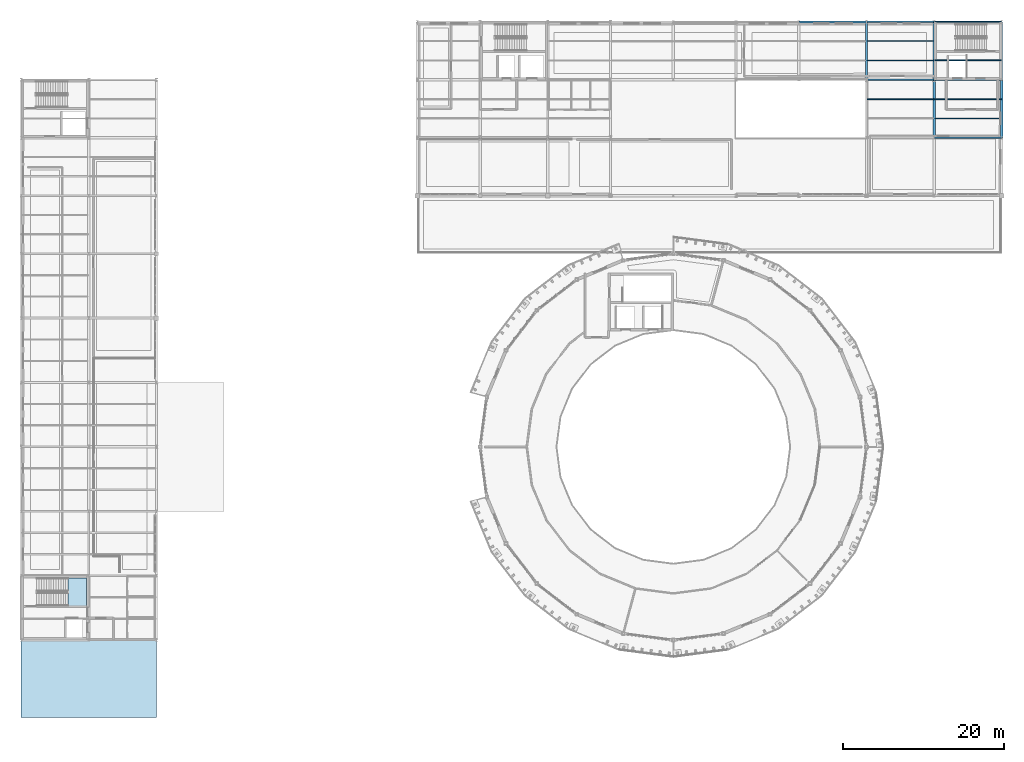
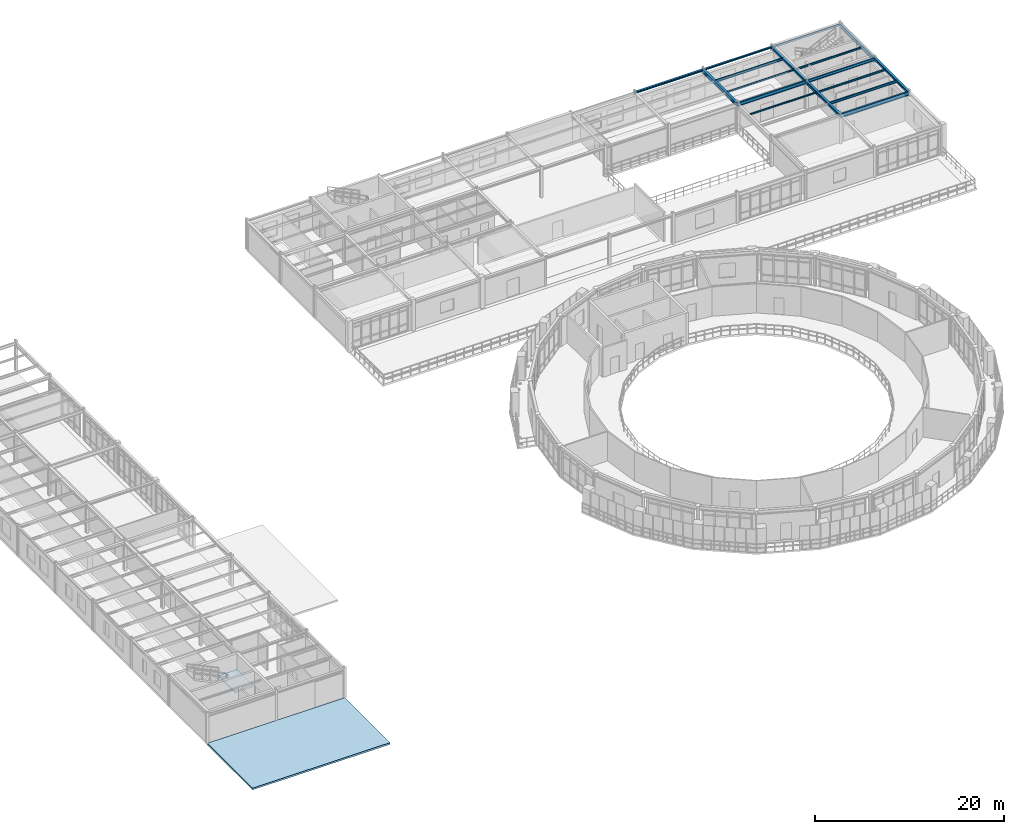
# One storey, part 32 of 58: 17 beams, 2 slabs, 1 element without a shape of its own.
"""IFC4 building model written with IfcOpenShell, lengths in metres."""

from ifc_helpers import new_model, si_unit, derived_unit, direction, frame, origin, origin_2d, place, context, subcontext, project, spatial, polyline, hollow_rectangle, i_section, outline, extrude, material, layer, layer_set, material_profile, profile_set, type_object, element, aggregate, save


model = new_model("IFC4")

# Units and contexts
model_context = context("Model", 3, precision=1e-05, world=origin(), true_north=direction((0.0, 1.0)))
body_context = subcontext(model_context, "Body", "Model", "MODEL_VIEW")
ifc_project = project(units=[si_unit("LENGTHUNIT", "METRE"), si_unit("AREAUNIT", "SQUARE_METRE"), si_unit("VOLUMEUNIT", "CUBIC_METRE"), si_unit("PLANEANGLEUNIT", "RADIAN"), si_unit("MASSUNIT", "GRAM", prefix="KILO"), derived_unit("THERMALTRANSMITTANCEUNIT", [(si_unit("POWERUNIT", "WATT"), 1), (si_unit("AREAUNIT", "SQUARE_METRE"), -1), (si_unit("THERMODYNAMICTEMPERATUREUNIT", "KELVIN"), -1)])], contexts=[model_context])

# Site, building, storey
site_placement = place(None, origin())
site = spatial("IfcSite", under=ifc_project, at=site_placement, CompositionType="ELEMENT")
building_placement = place(site_placement, origin())
building = spatial("IfcBuilding", under=site, at=building_placement, Name="Yasenodar Specialist Clinic", CompositionType="ELEMENT")
storey_placement = place(building_placement, frame((0.0, 0.0, 17.25)))
storey = spatial("IfcBuildingStorey", under=building, at=storey_placement, Name="L04", CompositionType="ELEMENT", Elevation=17.25)

# Beams
ifc_material_1 = material(Name="Steel S355", Category="steel")
ifc_material_profile_1 = material_profile(ifc_material_1, i_section(OverallWidth=0.300048828125, OverallDepth=0.2900390625, WebThickness=0.008544921875, FlangeThickness=0.013916015625, FilletRadius=0.027099609375, at=origin_2d()), Name="HEA 300")
ifc_profile_set_1 = profile_set([ifc_material_profile_1], Name="Steel S355")
beam_type_1 = type_object("IfcBeamType", Name="BM-HEA300", PredefinedType="BEAM", material=ifc_profile_set_1)
beam_1_placement = place(storey_placement, frame((121.800048828125, 97.199951171875, 3.64501953125), z_axis=(0.0, 1.0, 0.0), x_axis=(-1.0, 0.0, 0.0)))
element("IfcBeam", 1, at=beam_1_placement, inside=storey, type_object=beam_type_1, Name="L04 Primary N-S Girder", PredefinedType="BEAM", context=body_context, shape_type="SweptSolid", body=[
    extrude(i_section(OverallWidth=0.300048828125, OverallDepth=0.2900390625, WebThickness=0.008544921875, FlangeThickness=0.013916015625, FilletRadius=0.027099609375, at=origin_2d()), origin(), (0.0, 0.0, 1.0), 7.199951171875),
])
ifc_material_profile_2 = material_profile(ifc_material_1, i_section(OverallWidth=0.300048828125, OverallDepth=0.300048828125, WebThickness=0.010986328125, FlangeThickness=0.01904296875, FilletRadius=0.027099609375, at=origin_2d()), Name="HEB 300")
ifc_profile_set_2 = profile_set([ifc_material_profile_2], Name="Steel S355")
beam_type_2 = type_object("IfcBeamType", Name="BM-HEB300", PredefinedType="BEAM", material=ifc_profile_set_2)
beam_2_placement = place(storey_placement, frame((113.39990234375, 104.39990234375, 3.64990234375), z_axis=(0.0, 1.0, 0.0), x_axis=(-1.0, 0.0, 0.0)))
element("IfcBeam", 2, at=beam_2_placement, inside=storey, type_object=beam_type_2, Name="L04 Primary N-S Girder", PredefinedType="BEAM", context=body_context, shape_type="SweptSolid", body=[
    extrude(i_section(OverallWidth=0.300048828125, OverallDepth=0.300048828125, WebThickness=0.010986328125, FlangeThickness=0.01904296875, FilletRadius=0.027099609375, at=origin_2d()), origin(), (0.0, 0.0, 1.0), 7.2001953125),
])
ifc_material_profile_3 = material_profile(ifc_material_1, i_section(OverallWidth=0.300048828125, OverallDepth=0.340087890625, WebThickness=0.011962890625, FlangeThickness=0.021484375, FilletRadius=0.027099609375, at=origin_2d()), Name="HEB 340")
ifc_profile_set_3 = profile_set([ifc_material_profile_3], Name="Steel S355")
beam_type_3 = type_object("IfcBeamType", Name="BM-HEB340", PredefinedType="BEAM", material=ifc_profile_set_3)
beam_3_placement = place(storey_placement, frame((113.39990234375, 97.199951171875, 3.6201171875), z_axis=(0.0, 1.0, 0.0), x_axis=(-1.0, 0.0, 0.0)))
element("IfcBeam", 3, at=beam_3_placement, inside=storey, type_object=beam_type_3, Name="L04 Primary N-S Girder", PredefinedType="BEAM", context=body_context, shape_type="SweptSolid", body=[
    extrude(i_section(OverallWidth=0.300048828125, OverallDepth=0.340087890625, WebThickness=0.011962890625, FlangeThickness=0.021484375, FilletRadius=0.027099609375, at=origin_2d()), origin(), (0.0, 0.0, 1.0), 7.199951171875),
])
ifc_material_profile_4 = material_profile(ifc_material_1, i_section(OverallWidth=0.300048828125, OverallDepth=0.449951171875, WebThickness=0.013916015625, FlangeThickness=0.02587890625, FilletRadius=0.027099609375, at=origin_2d()), Name="HEB 450")
ifc_profile_set_4 = profile_set([ifc_material_profile_4], Name="Steel S355")
beam_type_4 = type_object("IfcBeamType", Name="BM-HEB450", PredefinedType="BEAM", material=ifc_profile_set_4)
beam_4_placement = place(storey_placement, frame((105.0, 104.39990234375, 3.574951171875), z_axis=(0.0, 1.0, 0.0), x_axis=(-1.0, 0.0, 0.0)))
element("IfcBeam", 4, at=beam_4_placement, inside=storey, type_object=beam_type_4, Name="L04 Primary N-S Girder", PredefinedType="BEAM", context=body_context, shape_type="SweptSolid", body=[
    extrude(i_section(OverallWidth=0.300048828125, OverallDepth=0.449951171875, WebThickness=0.013916015625, FlangeThickness=0.02587890625, FilletRadius=0.027099609375, at=origin_2d()), origin(), (0.0, 0.0, 1.0), 7.2001953125),
])
ifc_material_profile_5 = material_profile(ifc_material_1, i_section(OverallWidth=0.179931640625, OverallDepth=0.39990234375, WebThickness=0.008544921875, FlangeThickness=0.013427734375, FilletRadius=0.02099609375, at=origin_2d()), Name="IPE 400")
ifc_profile_set_5 = profile_set([ifc_material_profile_5], Name="Steel S355")
beam_type_5 = type_object("IfcBeamType", Name="BM-IPE400", PredefinedType="BEAM", material=ifc_profile_set_5)
beam_5_placement = place(storey_placement, frame((113.39990234375, 104.39990234375, 3.60009765625), z_axis=(1.0, 0.0, 0.0), x_axis=(0.0, 1.0, 0.0)))
element("IfcBeam", 5, at=beam_5_placement, inside=storey, type_object=beam_type_5, Name="L04 Primary E-W Girder", PredefinedType="BEAM", context=body_context, shape_type="SweptSolid", body=[
    extrude(i_section(OverallWidth=0.179931640625, OverallDepth=0.39990234375, WebThickness=0.008544921875, FlangeThickness=0.013427734375, FilletRadius=0.02099609375, at=origin_2d()), origin(), (0.0, 0.0, 1.0), 8.400146484375),
])
ifc_material_profile_6 = material_profile(ifc_material_1, i_section(OverallWidth=0.18994140625, OverallDepth=0.449951171875, WebThickness=0.009521484375, FlangeThickness=0.0146484375, FilletRadius=0.02099609375, at=origin_2d()), Name="IPE 450")
ifc_profile_set_6 = profile_set([ifc_material_profile_6], Name="Steel S355")
beam_type_6 = type_object("IfcBeamType", Name="BM-IPE450", PredefinedType="BEAM", material=ifc_profile_set_6)
beam_6_placement = place(storey_placement, frame((105.0, 104.39990234375, 3.574951171875), z_axis=(1.0, 0.0, 0.0), x_axis=(0.0, 1.0, 0.0)))
element("IfcBeam", 6, at=beam_6_placement, inside=storey, type_object=beam_type_6, Name="L04 Primary E-W Girder", PredefinedType="BEAM", context=body_context, shape_type="SweptSolid", body=[
    extrude(i_section(OverallWidth=0.18994140625, OverallDepth=0.449951171875, WebThickness=0.009521484375, FlangeThickness=0.0146484375, FilletRadius=0.02099609375, at=origin_2d()), origin(), (0.0, 0.0, 1.0), 8.39990234375),
])
ifc_material_profile_7 = material_profile(ifc_material_1, i_section(OverallWidth=0.199951171875, OverallDepth=0.5, WebThickness=0.01025390625, FlangeThickness=0.01611328125, FilletRadius=0.02099609375, at=origin_2d()), Name="IPE 500")
ifc_profile_set_7 = profile_set([ifc_material_profile_7], Name="Steel S355")
beam_type_7 = type_object("IfcBeamType", Name="BM-IPE500", PredefinedType="BEAM", material=ifc_profile_set_7)
beam_7_placement = place(storey_placement, frame((113.39990234375, 97.199951171875, 3.5400390625), z_axis=(1.0, 0.0, 0.0), x_axis=(0.0, 1.0, 0.0)))
element("IfcBeam", 7, at=beam_7_placement, inside=storey, type_object=beam_type_7, Name="L04 Primary E-W Girder", PredefinedType="BEAM", context=body_context, shape_type="SweptSolid", body=[
    extrude(i_section(OverallWidth=0.199951171875, OverallDepth=0.5, WebThickness=0.01025390625, FlangeThickness=0.01611328125, FilletRadius=0.02099609375, at=origin_2d()), origin(), (0.0, 0.0, 1.0), 8.400146484375),
])
ifc_material_profile_8 = material_profile(ifc_material_1, i_section(OverallWidth=0.2099609375, OverallDepth=0.550048828125, WebThickness=0.010986328125, FlangeThickness=0.01708984375, FilletRadius=0.02392578125, at=origin_2d()), Name="IPE 550")
ifc_profile_set_8 = profile_set([ifc_material_profile_8], Name="Steel S355")
beam_type_8 = type_object("IfcBeamType", Name="BM-IPE550", PredefinedType="BEAM", material=ifc_profile_set_8)
beam_8_placement = place(storey_placement, frame((121.800048828125, 104.39990234375, 3.52490234375), z_axis=(0.0, 1.0, 0.0), x_axis=(-1.0, 0.0, 0.0)))
element("IfcBeam", 8, at=beam_8_placement, inside=storey, type_object=beam_type_8, Name="L04 Primary N-S Girder", PredefinedType="BEAM", context=body_context, shape_type="SweptSolid", body=[
    extrude(i_section(OverallWidth=0.2099609375, OverallDepth=0.550048828125, WebThickness=0.010986328125, FlangeThickness=0.01708984375, FilletRadius=0.02392578125, at=origin_2d()), origin(), (0.0, 0.0, 1.0), 7.2001953125),
])
ifc_material_profile_9 = material_profile(ifc_material_1, i_section(OverallWidth=0.10009765625, OverallDepth=0.199951171875, WebThickness=0.005615234375, FlangeThickness=0.008544921875, FilletRadius=0.011962890625, at=origin_2d()), Name="IPE 200")
ifc_profile_set_9 = profile_set([ifc_material_profile_9], Name="Steel S355")
beam_type_9 = type_object("IfcBeamType", Name="JS-IPE200", PredefinedType="JOIST", material=ifc_profile_set_9)
for number, where, z_axis, x_axis, name in (
    (9, (105.080078125, 102.0, 3.699951171875), (1.0, 0.0, 0.0), (0.0, 1.0, 0.0), "L04 Composite Floor Joist"),
    (10, (105.080078125, 106.800048828125, 3.699951171875), (1.0, 0.0, 0.0), (0.0, 1.0, 0.0), "L04 Composite Floor Joist"),
):
    element("IfcBeam", number, at=place(storey_placement, frame(where, z_axis=z_axis, x_axis=x_axis)), inside=storey, type_object=beam_type_9, Name=name, PredefinedType="JOIST", context=body_context, shape_type="SweptSolid", body=[
        extrude(i_section(OverallWidth=0.10009765625, OverallDepth=0.199951171875, WebThickness=0.005615234375, FlangeThickness=0.008544921875, FilletRadius=0.011962890625, at=origin_2d()), origin(), (0.0, 0.0, 1.0), 8.239990234375),
    ])
ifc_material_profile_10 = material_profile(ifc_material_1, i_section(OverallWidth=0.1201171875, OverallDepth=0.239990234375, WebThickness=0.006103515625, FlangeThickness=0.009765625, FilletRadius=0.014892578125, at=origin_2d()), Name="IPE 240")
ifc_profile_set_10 = profile_set([ifc_material_profile_10], Name="Steel S355")
beam_type_10 = type_object("IfcBeamType", Name="JS-IPE240", PredefinedType="JOIST", material=ifc_profile_set_10)
for number, where, z_axis, x_axis, name in (
    (11, (113.47998046875, 102.0, 3.679931640625), (1.0, 0.0, 0.0), (0.0, 1.0, 0.0), "L04 Composite Floor Joist"),
    (12, (113.47998046875, 106.800048828125, 3.679931640625), (1.0, 0.0, 0.0), (0.0, 1.0, 0.0), "L04 Composite Floor Joist"),
):
    element("IfcBeam", number, at=place(storey_placement, frame(where, z_axis=z_axis, x_axis=x_axis)), inside=storey, type_object=beam_type_10, Name=name, PredefinedType="JOIST", context=body_context, shape_type="SweptSolid", body=[
        extrude(i_section(OverallWidth=0.1201171875, OverallDepth=0.239990234375, WebThickness=0.006103515625, FlangeThickness=0.009765625, FilletRadius=0.014892578125, at=origin_2d()), origin(), (0.0, 0.0, 1.0), 8.239990234375),
    ])
ifc_material_profile_11 = material_profile(ifc_material_1, i_section(OverallWidth=0.14990234375, OverallDepth=0.300048828125, WebThickness=0.007080078125, FlangeThickness=0.0107421875, FilletRadius=0.014892578125, at=origin_2d()), Name="IPE 300")
ifc_profile_set_11 = profile_set([ifc_material_profile_11], Name="Steel S355")
beam_type_11 = type_object("IfcBeamType", Name="JS-IPE300", PredefinedType="JOIST", material=ifc_profile_set_11)
for number, where, z_axis, x_axis, name in (
    (13, (105.080078125, 109.199951171875, 3.64990234375), (1.0, 0.0, 0.0), (0.0, 1.0, 0.0), "L04 Composite Floor Joist"),
    (14, (113.47998046875, 99.60009765625, 3.64990234375), (1.0, 0.0, 0.0), (0.0, 1.0, 0.0), "L04 Composite Floor Joist"),
):
    element("IfcBeam", number, at=place(storey_placement, frame(where, z_axis=z_axis, x_axis=x_axis)), inside=storey, type_object=beam_type_11, Name=name, PredefinedType="JOIST", context=body_context, shape_type="SweptSolid", body=[
        extrude(i_section(OverallWidth=0.14990234375, OverallDepth=0.300048828125, WebThickness=0.007080078125, FlangeThickness=0.0107421875, FilletRadius=0.014892578125, at=origin_2d()), origin(), (0.0, 0.0, 1.0), 8.239990234375),
    ])
ifc_material_profile_12 = material_profile(ifc_material_1, i_section(OverallWidth=0.199951171875, OverallDepth=0.18994140625, WebThickness=0.006591796875, FlangeThickness=0.010009765625, FilletRadius=0.01806640625, at=origin_2d()), Name="HEA 200")
ifc_profile_set_12 = profile_set([ifc_material_profile_12], Name="Steel S355")
beam_type_12 = type_object("IfcBeamType", Name="SP-HEA200", PredefinedType="SPANDREL", material=ifc_profile_set_12)
beam_9_placement = place(storey_placement, frame((105.0, 111.60009765625, 3.705078125), z_axis=(1.0, 0.0, 0.0), x_axis=(0.0, 1.0, 0.0)))
element("IfcBeam", 15, at=beam_9_placement, inside=storey, type_object=beam_type_12, Name="L04 Perimeter Spandrel Beam", PredefinedType="SPANDREL", context=body_context, shape_type="SweptSolid", body=[
    extrude(i_section(OverallWidth=0.199951171875, OverallDepth=0.18994140625, WebThickness=0.006591796875, FlangeThickness=0.010009765625, FilletRadius=0.01806640625, at=origin_2d()), origin(), (0.0, 0.0, 1.0), 8.39990234375),
])
ifc_material_profile_13 = material_profile(ifc_material_1, i_section(OverallWidth=0.239990234375, OverallDepth=0.22998046875, WebThickness=0.007568359375, FlangeThickness=0.011962890625, FilletRadius=0.02099609375, at=origin_2d()), Name="HEA 240")
ifc_profile_set_13 = profile_set([ifc_material_profile_13], Name="Steel S355")
beam_type_13 = type_object("IfcBeamType", Name="SP-HEA240", PredefinedType="SPANDREL", material=ifc_profile_set_13)
beam_10_placement = place(storey_placement, frame((96.60009765625, 111.60009765625, 3.68505859375), z_axis=(1.0, 0.0, 0.0), x_axis=(0.0, 1.0, 0.0)))
element("IfcBeam", 16, at=beam_10_placement, inside=storey, type_object=beam_type_13, Name="L04 Perimeter Spandrel Beam", PredefinedType="SPANDREL", context=body_context, shape_type="SweptSolid", body=[
    extrude(i_section(OverallWidth=0.239990234375, OverallDepth=0.22998046875, WebThickness=0.007568359375, FlangeThickness=0.011962890625, FilletRadius=0.02099609375, at=origin_2d()), origin(), (0.0, 0.0, 1.0), 8.39990234375),
])
ifc_material_profile_14 = material_profile(ifc_material_1, hollow_rectangle(XDim=0.14990234375, YDim=0.25, WallThickness=0.010009765625, InnerFilletRadius=0.014892578125, OuterFilletRadius=0.02490234375, at=origin_2d()), Name="RHS 250x150x10")
ifc_profile_set_14 = profile_set([ifc_material_profile_14], Name="Steel S355")
beam_type_14 = type_object("IfcBeamType", Name="SP-RHS250", PredefinedType="SPANDREL", material=ifc_profile_set_14)
beam_11_placement = place(storey_placement, frame((113.39990234375, 111.60009765625, 3.675048828125), z_axis=(1.0, 0.0, 0.0), x_axis=(0.0, 1.0, 0.0)))
element("IfcBeam", 17, at=beam_11_placement, inside=storey, type_object=beam_type_14, Name="L04 Perimeter Spandrel Beam", PredefinedType="SPANDREL", context=body_context, shape_type="SweptSolid", body=[
    extrude(hollow_rectangle(XDim=0.14990234375, YDim=0.25, WallThickness=0.010009765625, InnerFilletRadius=0.014892578125, OuterFilletRadius=0.02490234375, at=origin_2d()), origin(), (0.0, 0.0, 1.0), 8.400146484375),
])

# Stair, slab
ifc_material_2 = material(Name="Concrete C30/37", Category="concrete")
stair_type = type_object("IfcStairType", Name="ST-DOG-C1-28", PredefinedType="HALF_TURN_STAIR", material=ifc_material_2)
stair_placement = place(storey_placement, origin())
stair = element("IfcStair", 18, at=stair_placement, inside=storey, type_object=stair_type, Name="L04 Core C1 Exit Stair ST-01", PredefinedType="HALF_TURN_STAIR")
ifc_layer_1 = layer(ifc_material_2, 0.199951171875)
ifc_layer_set_1 = layer_set([ifc_layer_1], Name="Concrete C30/37")
slab_type_1 = type_object("IfcSlabType", Name="SLB-LND-200", PredefinedType="LANDING", material=ifc_layer_set_1)
slab_1_placement = place(storey_placement, frame((0.0, 0.0, 1.824951171875)))
slab_1 = element("IfcSlab", 19, at=slab_1_placement, type_object=slab_type_1, Name="ST-01 landing 1", PredefinedType="LANDING", context=body_context, shape_type="SweptSolid", body=[
    extrude(outline(polyline([(5.830078125, 39.06005859375), (8.1201171875, 39.06005859375), (8.1201171875, 42.510009765625), (5.830078125, 42.510009765625), (5.830078125, 39.06005859375)])), origin(), (0.0, 0.0, 1.0), 0.199951171875),
])
aggregate(stair, [slab_1])

# Slab
ifc_layer_2 = layer(ifc_material_2, 0.22509765625)
ifc_layer_set_2 = layer_set([ifc_layer_2], Name="Concrete C30/37")
slab_type_2 = type_object("IfcSlabType", Name="SLB-ROOF-225", PredefinedType="ROOF", material=ifc_layer_set_2)
slab_2_placement = place(storey_placement, frame((0.0, 0.0, -0.22509765625)))
element("IfcSlab", 20, at=slab_2_placement, inside=storey, type_object=slab_type_2, Name="V4 South Shoulder Roof Slab", PredefinedType="ROOF", context=body_context, shape_type="SweptSolid", body=[
    extrude(outline(polyline([(16.800048828125, 25.199951171875), (0.0, 25.199951171875), (0.0, 34.784912109375), (16.800048828125, 34.784912109375), (16.800048828125, 25.199951171875)])), origin(), (0.0, 0.0, 1.0), 0.22509765625),
])

save(model, "model.ifc")
